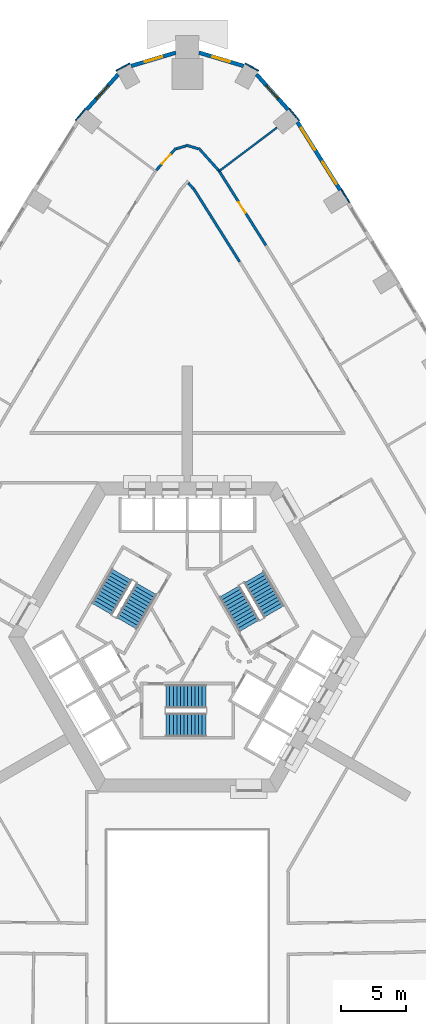
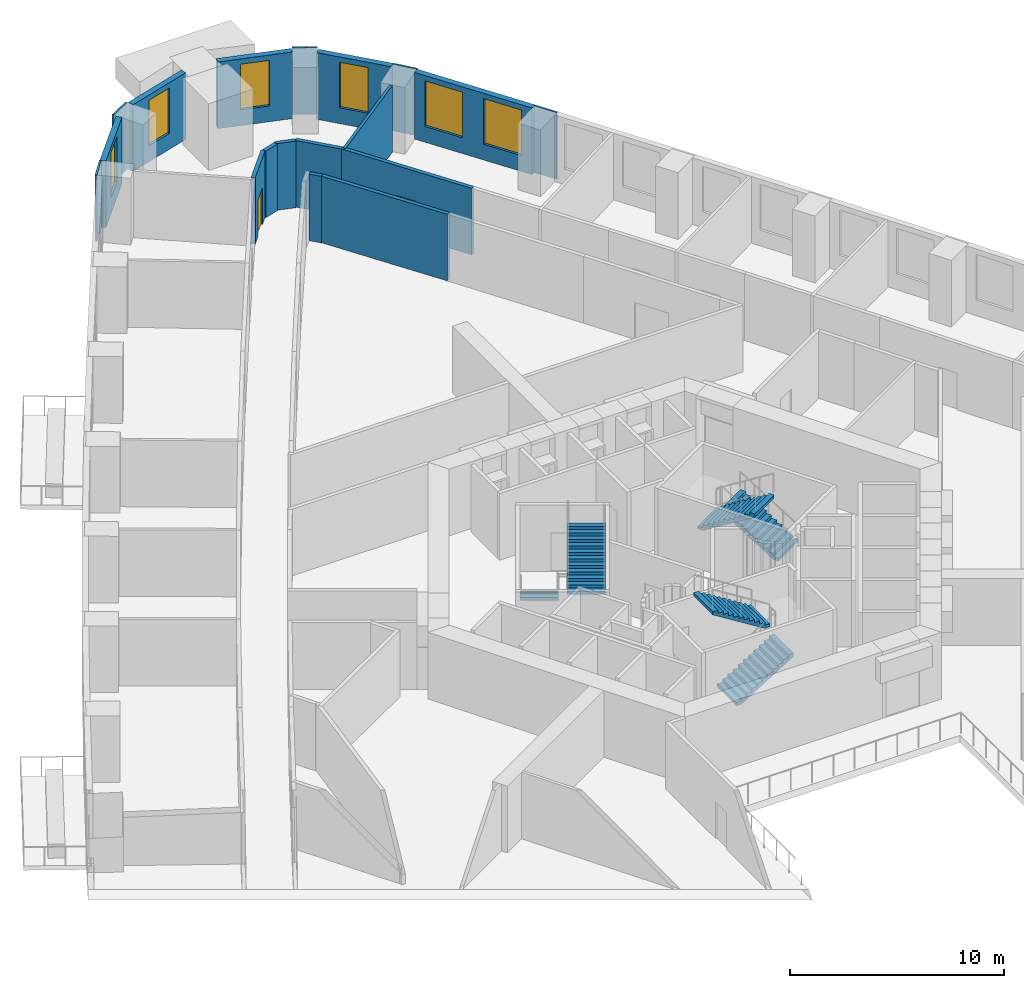
# One storey, part 12 of 16: 18 walls, 6 stair flights, 6 windows, 2 doors, 8 openings, 3 elements without a shape of their own.
"""IFC4 building model written with IfcOpenShell, lengths in metres."""

import ifcopenshell
import ifcopenshell.guid

model = None  # the IFC model being written
_history = None  # IfcOwnerHistory: only IFC2X3 demands one
_inside = {}  # id of a spatial element -> (the spatial element, [elements in it])
_under = {}  # id of a project, library or spatial element -> (it, [spatial elements below it])
_declared = {}  # id of a project -> (the project, [libraries it declares])
_typed = {}  # id of a type object -> (the type object, [elements of that type])
_made_of = {}  # id of a material, layer set ... -> (it, [elements and type objects made of it])


def new_model(schema):
    """Start an empty IFC model of exactly this schema.

    Asked for "IFC4X3", IfcOpenShell would pick the latest addendum, in which some entities
    have other attributes; the version numbers below select the first issue.
    IFC2X3 requires an IfcOwnerHistory on every rooted entity: one is made here for all.
    """
    global model, _history
    if schema == "IFC4X3":
        model = ifcopenshell.file(schema_version=(4, 3, 0, 0))
    else:
        model = ifcopenshell.file(schema=schema)
    _inside.clear()
    _under.clear()
    _declared.clear()
    _typed.clear()
    _made_of.clear()
    _history = None
    if model.schema == "IFC2X3":
        org = make("IfcOrganization", Name="unknown")
        user = make(
            "IfcPersonAndOrganization",
            ThePerson=make("IfcPerson", FamilyName="unknown"),
            TheOrganization=org,
        )
        app = make(
            "IfcApplication",
            ApplicationDeveloper=org,
            Version="unknown",
            ApplicationFullName="unknown",
            ApplicationIdentifier="unknown",
        )
        _history = make(
            "IfcOwnerHistory",
            OwningUser=user,
            OwningApplication=app,
            ChangeAction="ADDED",
            CreationDate=0,
        )
    return model


def make(cls, **values):
    """One entity of the class cls with the attributes given. An attribute that is None is left unset."""
    return model.create_entity(
        cls, **{name: value for name, value in values.items() if value is not None}
    )


def rooted(cls, **values):
    """An entity with a GlobalId (a new one), such as an element, a storey or a relation."""
    return make(cls, GlobalId=ifcopenshell.guid.new(), OwnerHistory=_history, **values)


def si_unit(unit_type, name, prefix=None):
    """IfcSIUnit, for example si_unit("LENGTHUNIT", "METRE", prefix="MILLI")."""
    return make("IfcSIUnit", UnitType=unit_type, Prefix=prefix, Name=name)


def assignment(units):
    """IfcUnitAssignment: the units of a project."""
    return None if units is None else make("IfcUnitAssignment", Units=units)


def point(xyz):
    """IfcCartesianPoint."""
    return None if xyz is None else make("IfcCartesianPoint", Coordinates=xyz)


def direction(xyz):
    """IfcDirection."""
    return None if xyz is None else make("IfcDirection", DirectionRatios=xyz)


def frame(location, z_axis=None, x_axis=None):
    """IfcAxis2Placement3D, a coordinate frame: its origin and axes. An axis left out is left unset."""
    return make(
        "IfcAxis2Placement3D",
        Location=point(location),
        Axis=direction(z_axis),
        RefDirection=direction(x_axis),
    )


def frame_2d(location, x_axis=None):
    """IfcAxis2Placement2D, a coordinate frame in the plane: its origin and x axis."""
    return make(
        "IfcAxis2Placement2D", Location=point(location), RefDirection=direction(x_axis)
    )


def origin():
    """The frame at (0, 0, 0) with its axes left unset."""
    return frame((0.0, 0.0, 0.0))


def place(relative_to, where):
    """IfcLocalPlacement: puts the frame where relative to a parent placement (None: the world)."""
    return make(
        "IfcLocalPlacement", PlacementRelTo=relative_to, RelativePlacement=where
    )


def context(
    kind, dimensions, precision=None, world=None, true_north=None, identifier=None
):
    """IfcGeometricRepresentationContext, for example the 3D "Model" context."""
    return make(
        "IfcGeometricRepresentationContext",
        ContextIdentifier=identifier,
        ContextType=kind,
        CoordinateSpaceDimension=dimensions,
        Precision=precision,
        WorldCoordinateSystem=world,
        TrueNorth=true_north,
    )


def subcontext(parent, identifier, kind, view, scale=None):
    """IfcGeometricRepresentationSubContext, for example "Body" below "Model"."""
    return make(
        "IfcGeometricRepresentationSubContext",
        ContextIdentifier=identifier,
        ContextType=kind,
        ParentContext=parent,
        TargetScale=scale,
        TargetView=view,
    )


def project(units=None, contexts=None):
    """IfcProject with its units and contexts."""
    return rooted(
        "IfcProject",
        Name="project",
        RepresentationContexts=contexts,
        UnitsInContext=assignment(units),
    )


def spatial(cls, under=None, at=None, **own):
    """A site, building, storey or space (cls), placed at a placement, below another one or the project."""
    s = rooted(cls, ObjectPlacement=at, **own)
    if under is not None:
        _under.setdefault(under.id(), (under, []))[1].append(s)
    return s


def polyline(points):
    """IfcPolyline through the points."""
    return make("IfcPolyline", Points=[point(p) for p in points])


def profile(cls, at=None, kind="AREA", **sizes):
    """A parametric profile (cls). Its sizes go by their IFC names, for example OverallWidth=200.0."""
    return make(cls, ProfileType=kind, Position=at, **sizes)


def rectangle(**sizes):
    """IfcRectangleProfileDef."""
    return profile("IfcRectangleProfileDef", **sizes)


def outline(outer, holes=None, kind="AREA"):
    """IfcArbitraryClosedProfileDef: a profile drawn as a closed curve; with holes, ...WithVoids."""
    if holes is None:
        return make("IfcArbitraryClosedProfileDef", ProfileType=kind, OuterCurve=outer)
    return make(
        "IfcArbitraryProfileDefWithVoids",
        ProfileType=kind,
        OuterCurve=outer,
        InnerCurves=holes,
    )


def extrude(swept, where, along, depth):
    """IfcExtrudedAreaSolid: the profile swept, set in the frame where, extruded along a direction by depth."""
    return make(
        "IfcExtrudedAreaSolid",
        SweptArea=swept,
        Position=where,
        ExtrudedDirection=direction(along),
        Depth=depth,
    )


def shape(context_of_items, identifier, shape_type, items):
    """IfcShapeRepresentation: the items that make up one representation, for example the "Body"."""
    return make(
        "IfcShapeRepresentation",
        ContextOfItems=context_of_items,
        RepresentationIdentifier=identifier,
        RepresentationType=shape_type,
        Items=items,
    )


def material(Name=None, Category=None):
    """IfcMaterial."""
    return make("IfcMaterial", Name=Name, Category=Category)


def layer(
    of_material, thickness, ventilated=None, Name=None, Category=None, Priority=None
):
    """IfcMaterialLayer: one layer of a wall or slab, of a material (None: an air gap)."""
    return make(
        "IfcMaterialLayer",
        Material=of_material,
        LayerThickness=thickness,
        IsVentilated=ventilated,
        Name=Name,
        Category=Category,
        Priority=Priority,
    )


def layer_set(layers, Name=None):
    """IfcMaterialLayerSet."""
    return make("IfcMaterialLayerSet", MaterialLayers=layers, LayerSetName=Name)


def made_of(thing, what):
    """Note that an element or type object is made of a material, layer set ...; save() writes the relation."""
    if what is not None:
        _made_of.setdefault(what.id(), (what, []))[1].append(thing)
    return thing


def type_object(cls, material=None, **own):
    """A type object (cls), such as IfcWallType, which elements share."""
    return made_of(rooted(cls, **own), material)


def element(
    cls,
    number,
    at=None,
    inside=None,
    cuts=None,
    type_object=None,
    material=None,
    context=None,
    identifier="Body",
    shape_type=None,
    held_by="IfcProductDefinitionShape",
    body=None,
    shapes=None,
    **own,
):
    """One element of the class cls, such as IfcWall. Its Tag is "e" and its number.

    at: its placement. inside: the storey or other place that contains it. cuts: it is an
    opening in that element (IfcRelVoidsElement). A single representation is given by context,
    identifier, shape_type and body (its items); several are given by shapes. held_by: the class
    of the entity that holds the representations. save() writes the other relations.
    """
    e = rooted(cls, Tag="e%d" % number, ObjectPlacement=at, **own)
    if body is not None:
        shapes = [shape(context, identifier, shape_type, body)]
    if shapes is not None:
        e.Representation = make(held_by, Representations=shapes)
    if inside is not None:
        _inside.setdefault(inside.id(), (inside, []))[1].append(e)
    if cuts is not None:
        rooted(
            "IfcRelVoidsElement", RelatingBuildingElement=cuts, RelatedOpeningElement=e
        )
    if type_object is not None:
        _typed.setdefault(type_object.id(), (type_object, []))[1].append(e)
    return made_of(e, material)


def fill(opening, filler):
    """IfcRelFillsElement: the door or window that sits in an opening."""
    return rooted(
        "IfcRelFillsElement",
        RelatingOpeningElement=opening,
        RelatedBuildingElement=filler,
    )


def aggregate(whole, parts):
    """IfcRelAggregates: a whole, such as a stair, and the parts it consists of."""
    return rooted("IfcRelAggregates", RelatingObject=whole, RelatedObjects=parts)


def save(model, path):
    """Write the relations noted so far, then the file.

    IfcRelAggregates (storeys below a building ...), IfcRelContainedInSpatialStructure (elements
    in a storey), IfcRelDefinesByType, IfcRelAssociatesMaterial and IfcRelDeclares: one each for
    every whole, place, type object, material and project.
    """
    for whole, parts in _under.values():
        aggregate(whole, parts)
    for where, things in _inside.values():
        rooted(
            "IfcRelContainedInSpatialStructure",
            RelatedElements=things,
            RelatingStructure=where,
        )
    for kind, things in _typed.values():
        rooted("IfcRelDefinesByType", RelatedObjects=things, RelatingType=kind)
    for what, things in _made_of.values():
        rooted("IfcRelAssociatesMaterial", RelatedObjects=things, RelatingMaterial=what)
    for by, libraries in _declared.values():
        rooted("IfcRelDeclares", RelatingContext=by, RelatedDefinitions=libraries)
    model.write(path)


model = new_model("IFC4")

# Units and contexts
model_context = context("Model", 3, precision=1e-05, world=origin(), true_north=direction((0.0, 1.0)))
body_context = subcontext(model_context, "Body", "Model", "MODEL_VIEW")
ifc_project = project(units=[si_unit("LENGTHUNIT", "METRE"), si_unit("AREAUNIT", "SQUARE_METRE"), si_unit("VOLUMEUNIT", "CUBIC_METRE"), si_unit("PLANEANGLEUNIT", "RADIAN"), si_unit("MASSUNIT", "GRAM", prefix="KILO")], contexts=[model_context])

# Site, building, storey
site_placement = place(None, origin())
site = spatial("IfcSite", under=ifc_project, at=site_placement, CompositionType="ELEMENT")
building_placement = place(site_placement, origin())
building = spatial("IfcBuilding", under=site, at=building_placement, Name="Entoto Arch Interchange Tower", CompositionType="ELEMENT")
storey_placement = place(building_placement, frame((0.0, 0.0, 68.60009765625)))
storey = spatial("IfcBuildingStorey", under=building, at=storey_placement, Name="L14", CompositionType="ELEMENT", Elevation=68.60009765625)

# Walls
ifc_material_1 = material(Name="Gypsum board partition on steel studs", Category="steel")
ifc_layer_1 = layer(ifc_material_1, 0.14990234375)
ifc_layer_set_1 = layer_set([ifc_layer_1], Name="Gypsum board partition on steel studs")
wall_type_1 = type_object("IfcWallType", Name="PARTITION 150", PredefinedType="PARTITIONING", material=ifc_layer_set_1)
wall_1_placement = place(storey_placement, frame((2.466064453125, 38.580078125, 0.0), z_axis=(0.0, 0.0, 1.0), x_axis=(0.798796148738, 0.601601789193, 0.0)))
element("IfcWall", 1, at=wall_1_placement, inside=storey, type_object=wall_type_1, Name="wall:L14:p141", PredefinedType="PARTITIONING", context=body_context, shape_type="SweptSolid", body=[
    extrude(rectangle(XDim=5.604736328125, YDim=0.14990234375, at=frame_2d((2.80224609375, 0.0))), origin(), (0.0, 0.0, 1.0), 3.7998046875),
])
ifc_layer_2 = layer(ifc_material_1, 0.199951171875)
ifc_layer_set_2 = layer_set([ifc_layer_2], Name="Gypsum board partition on steel studs")
wall_type_2 = type_object("IfcWallType", Name="PARTITION 200", PredefinedType="PARTITIONING", material=ifc_layer_set_2)
wall_2_placement = place(storey_placement, frame((4.04296875, 31.56396484375, 0.0), z_axis=(0.0, 0.0, 1.0), x_axis=(-0.532301094997, 0.846555104092, 0.0)))
element("IfcWall", 2, at=wall_2_placement, inside=storey, type_object=wall_type_2, Name="wall:L14:p011", PredefinedType="PARTITIONING", context=body_context, shape_type="SweptSolid", body=[
    extrude(rectangle(XDim=6.676513671875, YDim=0.199951171875, at=frame_2d((3.33837890625, 0.0))), origin(), (0.0, 0.0, 1.0), 3.7998046875),
])
wall_3_placement = place(storey_placement, frame((0.47607421875, 37.2060546875, 0.0), z_axis=(0.0, 0.0, 1.0), x_axis=(-0.667027496744, 0.745033098988, 0.0)))
element("IfcWall", 3, at=wall_3_placement, inside=storey, type_object=wall_type_2, Name="wall:L14:p012", PredefinedType="PARTITIONING", context=body_context, shape_type="SweptSolid", body=[
    extrude(rectangle(XDim=0.613525390625, YDim=0.199951171875, at=frame_2d((0.306640625, 0.0))), origin(), (0.0, 0.0, 1.0), 3.7998046875),
])

# Wall, opening, door
wall_4_placement = place(storey_placement, frame((2.4130859375, 38.6650390625, 0.0), z_axis=(0.0, 0.0, 1.0), x_axis=(0.532328273879, -0.846538013812, 0.0)))
wall_4 = element("IfcWall", 4, at=wall_4_placement, inside=storey, type_object=wall_type_2, Name="wall:L14:p060", PredefinedType="PARTITIONING", context=body_context, shape_type="SweptSolid", body=[
    extrude(rectangle(XDim=6.890380859375, YDim=0.199951171875, at=frame_2d((3.4453125, 0.0))), origin(), (0.0, 0.0, 1.0), 3.7998046875),
])
opening_1_placement = place(wall_4_placement, frame((2.945068359375, 0.0, 0.0)))
opening_1 = element("IfcOpeningElement", 5, at=opening_1_placement, cuts=wall_4, Name="Opening L14-D08", PredefinedType="OPENING", context=body_context, shape_type="SweptSolid", body=[
    extrude(rectangle(XDim=1.0, YDim=2.10009765625, at=frame_2d((0.5, 1.050048828125))), frame((0.0, 0.10986328125, 0.0), z_axis=(0.0, -1.0, 0.0), x_axis=(1.0, 0.0, 0.0)), (0.0, 0.0, 1.0), 0.219970703125),
])
ifc_material_2 = material(Name="Timber door leaf in Steel S235 frame", Category="steel")
door_type = type_object("IfcDoorType", Name="DOOR DS-10 1000x2100", OperationType="SINGLE_SWING_LEFT", PredefinedType="DOOR", material=ifc_material_2)
door_1_placement = place(opening_1_placement, origin())
door_1 = element("IfcDoor", 6, at=door_1_placement, inside=storey, type_object=door_type, Name="door:L14:08", OperationType="SINGLE_SWING_LEFT", OverallHeight=2.10009765625, OverallWidth=1.0, PredefinedType="DOOR", context=body_context, shape_type="SweptSolid", body=[
    extrude(rectangle(XDim=1.0, YDim=2.10009765625, at=frame_2d((0.5, 1.050048828125))), frame((0.0, 0.02490234375, 0.0), z_axis=(0.0, -1.0, 0.0), x_axis=(1.0, 0.0, 0.0)), (0.0, 0.0, 1.0), 0.050048828125),
])
fill(opening_1, door_1)

wall_5_placement = place(storey_placement, frame((-2.39990234375, 38.655029296875, 0.0), z_axis=(0.0, 0.0, 1.0), x_axis=(0.666791730919, 0.745244112743, 0.0)))
wall_5 = element("IfcWall", 7, at=wall_5_placement, inside=storey, type_object=wall_type_2, Name="wall:L14:p062", PredefinedType="PARTITIONING", context=body_context, shape_type="SweptSolid", body=[
    extrude(rectangle(XDim=2.281005859375, YDim=0.199951171875, at=frame_2d((1.140625, 0.0))), origin(), (0.0, 0.0, 1.0), 3.7998046875),
])
opening_2_placement = place(wall_5_placement, frame((0.64111328125, 0.0, 0.0)))
opening_2 = element("IfcOpeningElement", 8, at=opening_2_placement, cuts=wall_5, Name="Opening L14-D09", PredefinedType="OPENING", context=body_context, shape_type="SweptSolid", body=[
    extrude(rectangle(XDim=1.0, YDim=2.10009765625, at=frame_2d((0.5, 1.050048828125))), frame((0.0, 0.10986328125, 0.0), z_axis=(0.0, -1.0, 0.0), x_axis=(1.0, 0.0, 0.0)), (0.0, 0.0, 1.0), 0.219970703125),
])
door_2_placement = place(opening_2_placement, origin())
door_2 = element("IfcDoor", 9, at=door_2_placement, inside=storey, type_object=door_type, Name="door:L14:09", OperationType="SINGLE_SWING_LEFT", OverallHeight=2.10009765625, OverallWidth=1.0, PredefinedType="DOOR", context=body_context, shape_type="SweptSolid", body=[
    extrude(rectangle(XDim=1.0, YDim=2.10009765625, at=frame_2d((0.5, 1.050048828125))), frame((0.0, 0.02490234375, 0.0), z_axis=(0.0, -1.0, 0.0), x_axis=(1.0, 0.0, 0.0)), (0.0, 0.0, 1.0), 0.050048828125),
])
fill(opening_2, door_2)

# Walls
wall_6_placement = place(storey_placement, frame((-0.84912109375, 40.30908203125, 0.0), z_axis=(0.0, 0.0, 1.0), x_axis=(0.958210118601, 0.286065322279, 0.0)))
element("IfcWall", 10, at=wall_6_placement, inside=storey, type_object=wall_type_2, Name="wall:L14:p063", PredefinedType="PARTITIONING", context=body_context, shape_type="SweptSolid", body=[
    extrude(rectangle(XDim=0.7861328125, YDim=0.199951171875, at=frame_2d((0.39306640625, 0.0))), origin(), (0.0, 0.0, 1.0), 3.7998046875),
])
wall_7_placement = place(storey_placement, frame((-0.095947265625, 40.591064453125, 0.0), z_axis=(0.0, 0.0, 1.0), x_axis=(0.958254449469, -0.285916788721, 0.0)))
element("IfcWall", 11, at=wall_7_placement, inside=storey, type_object=wall_type_2, Name="wall:L14:p064", PredefinedType="PARTITIONING", context=body_context, shape_type="SweptSolid", body=[
    extrude(rectangle(XDim=0.986328125, YDim=0.199951171875, at=frame_2d((0.4931640625, 0.0))), origin(), (0.0, 0.0, 1.0), 3.7998046875),
])
wall_8_placement = place(storey_placement, frame((0.87890625, 40.35498046875, 0.0), z_axis=(0.0, 0.0, 1.0), x_axis=(0.666791730919, -0.745244112743, 0.0)))
element("IfcWall", 12, at=wall_8_placement, inside=storey, type_object=wall_type_2, Name="wall:L14:p065", PredefinedType="PARTITIONING", context=body_context, shape_type="SweptSolid", body=[
    extrude(rectangle(XDim=2.281005859375, YDim=0.199951171875, at=frame_2d((1.140625, 0.0))), origin(), (0.0, 0.0, 1.0), 3.7998046875),
])

# Wall, openings, windows
ifc_material_3 = material(Name="Welded tuff (ignimbrite) cladding, warm buff", Category="masonry")
ifc_layer_3 = layer(ifc_material_3, 0.300048828125)
ifc_layer_set_3 = layer_set([ifc_layer_3], Name="Welded tuff (ignimbrite) cladding, warm buff")
wall_type_3 = type_object("IfcWallType", Name="STONE INFILL WALL 300", PredefinedType="STANDARD", material=ifc_layer_set_3)
wall_9_placement = place(storey_placement, frame((11.8330078125, 37.115966796875, 0.0), z_axis=(0.0, 0.0, 1.0), x_axis=(-0.532322705893, 0.846541515102, 0.0)))
wall_9 = element("IfcWall", 13, at=wall_9_placement, inside=storey, type_object=wall_type_3, Name="Facade wall NE-09 L14", PredefinedType="STANDARD", context=body_context, shape_type="SweptSolid", body=[
    extrude(rectangle(XDim=6.21826171875, YDim=0.300048828125, at=frame_2d((3.109130859375, 0.0))), origin(), (0.0, 0.0, 1.0), 3.7998046875),
])
opening_3_placement = place(wall_9_placement, frame((0.554931640625, 0.0, 0.89990234375)))
opening_3 = element("IfcOpeningElement", 14, at=opening_3_placement, cuts=wall_9, Name="Opening WO-C", PredefinedType="OPENING", context=body_context, shape_type="SweptSolid", body=[
    extrude(rectangle(XDim=2.0, YDim=2.60009765625, at=frame_2d((1.0, 1.300048828125))), frame((0.0, 0.16015625, 0.0), z_axis=(0.0, -1.0, 0.0), x_axis=(1.0, 0.0, 0.0)), (0.0, 0.0, 1.0), 0.320068359375),
])
opening_4_placement = place(wall_9_placement, frame((3.6640625, 0.0, 0.89990234375)))
opening_4 = element("IfcOpeningElement", 15, at=opening_4_placement, cuts=wall_9, Name="Opening WO-C", PredefinedType="OPENING", context=body_context, shape_type="SweptSolid", body=[
    extrude(rectangle(XDim=2.0, YDim=2.60009765625, at=frame_2d((1.0, 1.300048828125))), frame((0.0, 0.16015625, 0.0), z_axis=(0.0, -1.0, 0.0), x_axis=(1.0, 0.0, 0.0)), (0.0, 0.0, 1.0), 0.320068359375),
])
ifc_material_4 = material(Name="Clear glass, low-e double glazed", Category="glass")
window_type_1 = type_object("IfcWindowType", Name="WINDOW WO-C 2000x2600", PartitioningType="DOUBLE_PANEL_VERTICAL", PredefinedType="WINDOW", material=ifc_material_4)
window_1_placement = place(opening_3_placement, origin())
window_1 = element("IfcWindow", 16, at=window_1_placement, inside=storey, type_object=window_type_1, Name="Window WO-C NE-09 L14", OverallHeight=2.60009765625, OverallWidth=2.0, PartitioningType="SINGLE_PANEL", PredefinedType="WINDOW", context=body_context, shape_type="SweptSolid", body=[
    extrude(rectangle(XDim=2.0, YDim=2.60009765625, at=frame_2d((1.0, 1.300048828125))), frame((0.0, 0.030029296875, 0.0), z_axis=(0.0, -1.0, 0.0), x_axis=(1.0, 0.0, 0.0)), (0.0, 0.0, 1.0), 0.06005859375),
])
fill(opening_3, window_1)
window_2_placement = place(opening_4_placement, origin())
window_2 = element("IfcWindow", 17, at=window_2_placement, inside=storey, type_object=window_type_1, Name="Window WO-C NE-09 L14", OverallHeight=2.60009765625, OverallWidth=2.0, PartitioningType="SINGLE_PANEL", PredefinedType="WINDOW", context=body_context, shape_type="SweptSolid", body=[
    extrude(rectangle(XDim=2.0, YDim=2.60009765625, at=frame_2d((1.0, 1.300048828125))), frame((0.0, 0.030029296875, 0.0), z_axis=(0.0, -1.0, 0.0), x_axis=(1.0, 0.0, 0.0)), (0.0, 0.0, 1.0), 0.06005859375),
])
fill(opening_4, window_2)

# Wall, opening, window
wall_10_placement = place(storey_placement, frame((7.802978515625, 43.339111328125, 0.0), z_axis=(0.0, 0.0, 1.0), x_axis=(-0.666901909312, 0.745145518242, 0.0)))
wall_10 = element("IfcWall", 18, at=wall_10_placement, inside=storey, type_object=wall_type_3, Name="Facade wall N-01 L14", PredefinedType="STANDARD", context=body_context, shape_type="SweptSolid", body=[
    extrude(rectangle(XDim=3.666259765625, YDim=0.300048828125, at=frame_2d((1.8330078125, 0.0))), origin(), (0.0, 0.0, 1.0), 3.7998046875),
])
opening_5_placement = place(wall_10_placement, frame((1.133056640625, 0.0, 0.89990234375)))
opening_5 = element("IfcOpeningElement", 19, at=opening_5_placement, cuts=wall_10, Name="Opening WO-B", PredefinedType="OPENING", context=body_context, shape_type="SweptSolid", body=[
    extrude(rectangle(XDim=1.39990234375, YDim=2.60009765625, at=frame_2d((0.699951171875, 1.300048828125))), frame((0.0, 0.16015625, 0.0), z_axis=(0.0, -1.0, 0.0), x_axis=(1.0, 0.0, 0.0)), (0.0, 0.0, 1.0), 0.320068359375),
])
window_type_2 = type_object("IfcWindowType", Name="WINDOW WO-B 1400x2600", PartitioningType="DOUBLE_PANEL_VERTICAL", PredefinedType="WINDOW", material=ifc_material_4)
window_3_placement = place(opening_5_placement, origin())
window_3 = element("IfcWindow", 20, at=window_3_placement, inside=storey, type_object=window_type_2, Name="Window WO-B N-01 L14", OverallHeight=2.60009765625, OverallWidth=1.39990234375, PartitioningType="SINGLE_PANEL", PredefinedType="WINDOW", context=body_context, shape_type="SweptSolid", body=[
    extrude(rectangle(XDim=1.39990234375, YDim=2.60009765625, at=frame_2d((0.699951171875, 1.300048828125))), frame((0.0, 0.030029296875, 0.0), z_axis=(0.0, -1.0, 0.0), x_axis=(1.0, 0.0, 0.0)), (0.0, 0.0, 1.0), 0.06005859375),
])
fill(opening_5, window_3)

wall_11_placement = place(storey_placement, frame((4.35009765625, 46.72509765625, 0.0), z_axis=(0.0, 0.0, 1.0), x_axis=(-0.958083325779, 0.286489687186, 0.0)))
wall_11 = element("IfcWall", 21, at=wall_11_placement, inside=storey, type_object=wall_type_3, Name="Facade wall N-02 L14", PredefinedType="STANDARD", context=body_context, shape_type="SweptSolid", body=[
    extrude(rectangle(XDim=3.60205078125, YDim=0.300048828125, at=frame_2d((1.801025390625, 0.0))), origin(), (0.0, 0.0, 1.0), 3.7998046875),
])
opening_6_placement = place(wall_11_placement, frame((1.10107421875, 0.0, 0.89990234375)))
opening_6 = element("IfcOpeningElement", 22, at=opening_6_placement, cuts=wall_11, Name="Opening WO-B", PredefinedType="OPENING", context=body_context, shape_type="SweptSolid", body=[
    extrude(rectangle(XDim=1.39990234375, YDim=2.60009765625, at=frame_2d((0.699951171875, 1.300048828125))), frame((0.0, 0.16015625, 0.0), z_axis=(0.0, -1.0, 0.0), x_axis=(1.0, 0.0, 0.0)), (0.0, 0.0, 1.0), 0.320068359375),
])
window_4_placement = place(opening_6_placement, origin())
window_4 = element("IfcWindow", 23, at=window_4_placement, inside=storey, type_object=window_type_2, Name="Window WO-B N-02 L14", OverallHeight=2.60009765625, OverallWidth=1.39990234375, PartitioningType="SINGLE_PANEL", PredefinedType="WINDOW", context=body_context, shape_type="SweptSolid", body=[
    extrude(rectangle(XDim=1.39990234375, YDim=2.60009765625, at=frame_2d((0.699951171875, 1.300048828125))), frame((0.0, 0.030029296875, 0.0), z_axis=(0.0, -1.0, 0.0), x_axis=(1.0, 0.0, 0.0)), (0.0, 0.0, 1.0), 0.06005859375),
])
fill(opening_6, window_4)

wall_12_placement = place(storey_placement, frame((-0.89892578125, 47.757080078125, 0.0), z_axis=(0.0, 0.0, 1.0), x_axis=(-0.958083325779, -0.286489687186, 0.0)))
wall_12 = element("IfcWall", 24, at=wall_12_placement, inside=storey, type_object=wall_type_3, Name="Facade wall N-03 L14", PredefinedType="STANDARD", context=body_context, shape_type="SweptSolid", body=[
    extrude(rectangle(XDim=3.60205078125, YDim=0.300048828125, at=frame_2d((1.801025390625, 0.0))), origin(), (0.0, 0.0, 1.0), 3.7998046875),
])
opening_7_placement = place(wall_12_placement, frame((1.10107421875, 0.0, 0.89990234375)))
opening_7 = element("IfcOpeningElement", 25, at=opening_7_placement, cuts=wall_12, Name="Opening WO-B", PredefinedType="OPENING", context=body_context, shape_type="SweptSolid", body=[
    extrude(rectangle(XDim=1.39990234375, YDim=2.60009765625, at=frame_2d((0.699951171875, 1.300048828125))), frame((0.0, 0.16015625, 0.0), z_axis=(0.0, -1.0, 0.0), x_axis=(1.0, 0.0, 0.0)), (0.0, 0.0, 1.0), 0.320068359375),
])
window_5_placement = place(opening_7_placement, origin())
window_5 = element("IfcWindow", 26, at=window_5_placement, inside=storey, type_object=window_type_2, Name="Window WO-B N-03 L14", OverallHeight=2.60009765625, OverallWidth=1.39990234375, PartitioningType="SINGLE_PANEL", PredefinedType="WINDOW", context=body_context, shape_type="SweptSolid", body=[
    extrude(rectangle(XDim=1.39990234375, YDim=2.60009765625, at=frame_2d((0.699951171875, 1.300048828125))), frame((0.0, 0.030029296875, 0.0), z_axis=(0.0, -1.0, 0.0), x_axis=(1.0, 0.0, 0.0)), (0.0, 0.0, 1.0), 0.06005859375),
])
fill(opening_7, window_5)

wall_13_placement = place(storey_placement, frame((-5.35791015625, 46.071044921875, 0.0), z_axis=(0.0, 0.0, 1.0), x_axis=(-0.666901909312, -0.745145518242, 0.0)))
wall_13 = element("IfcWall", 27, at=wall_13_placement, inside=storey, type_object=wall_type_3, Name="Facade wall N-04 L14", PredefinedType="STANDARD", context=body_context, shape_type="SweptSolid", body=[
    extrude(rectangle(XDim=3.666259765625, YDim=0.300048828125, at=frame_2d((1.8330078125, 0.0))), origin(), (0.0, 0.0, 1.0), 3.7998046875),
])
opening_8_placement = place(wall_13_placement, frame((1.133056640625, 0.0, 0.89990234375)))
opening_8 = element("IfcOpeningElement", 28, at=opening_8_placement, cuts=wall_13, Name="Opening WO-B", PredefinedType="OPENING", context=body_context, shape_type="SweptSolid", body=[
    extrude(rectangle(XDim=1.39990234375, YDim=2.60009765625, at=frame_2d((0.699951171875, 1.300048828125))), frame((0.0, 0.16015625, 0.0), z_axis=(0.0, -1.0, 0.0), x_axis=(1.0, 0.0, 0.0)), (0.0, 0.0, 1.0), 0.320068359375),
])
window_6_placement = place(opening_8_placement, origin())
window_6 = element("IfcWindow", 29, at=window_6_placement, inside=storey, type_object=window_type_2, Name="Window WO-B N-04 L14", OverallHeight=2.60009765625, OverallWidth=1.39990234375, PartitioningType="SINGLE_PANEL", PredefinedType="WINDOW", context=body_context, shape_type="SweptSolid", body=[
    extrude(rectangle(XDim=1.39990234375, YDim=2.60009765625, at=frame_2d((0.699951171875, 1.300048828125))), frame((0.0, 0.030029296875, 0.0), z_axis=(0.0, -1.0, 0.0), x_axis=(1.0, 0.0, 0.0)), (0.0, 0.0, 1.0), 0.06005859375),
])
fill(opening_8, window_6)

# Walls
ifc_layer_4 = layer(ifc_material_3, 0.10009765625)
ifc_layer_set_4 = layer_set([ifc_layer_4], Name="Welded tuff (ignimbrite) cladding, warm buff")
wall_type_4 = type_object("IfcWallType", Name="STONE PIER CLADDING 100", PredefinedType="STANDARD", material=ifc_layer_set_4)
for number, where, z_axis, x_axis, name in (
    (30, (5.512939453125, 46.35205078125, 0.0), (0.0, 0.0, 1.0), (-0.877155474831, 0.480206489934, 0.0), "Stone pier N1 L14"),
    (31, (-4.4609375, 46.927978515625, 0.0), (0.0, 0.0, 1.0), (-0.877155474831, -0.480206489934, 0.0), "Stone pier N3 L14"),
):
    element("IfcWall", number, at=place(storey_placement, frame(where, z_axis=z_axis, x_axis=x_axis)), inside=storey, type_object=wall_type_4, Name=name, PredefinedType="STANDARD", context=body_context, shape_type="SweptSolid", body=[
        extrude(rectangle(XDim=1.19921875, YDim=0.10009765625, at=frame_2d((0.599609375, 0.0))), origin(), (0.0, 0.0, 1.0), 3.7998046875),
    ])
wall_14_placement = place(storey_placement, frame((12.554931640625, 36.153076171875, 0.0), z_axis=(0.0, 0.0, 1.0), x_axis=(-0.530273374944, 0.847826720401, 0.0)))
element("IfcWall", 32, at=wall_14_placement, inside=storey, type_object=wall_type_4, Name="Stone pier NE09 L14", PredefinedType="STANDARD", context=body_context, shape_type="SweptSolid", body=[
    extrude(rectangle(XDim=1.199462890625, YDim=0.10009765625, at=frame_2d((0.599609375, 0.0))), origin(), (0.0, 0.0, 1.0), 3.7998046875),
])
for number, where, z_axis, x_axis, name in (
    (33, (8.662109375, 42.493896484375, 0.0), (0.0, 0.0, 1.0), (-0.637759271497, 0.770235750676, 0.0), "Stone pier NE10 L14"),
    (34, (-7.89697265625, 43.41796875, 0.0), (0.0, 0.0, 1.0), (-0.637759271497, -0.770235750676, 0.0), "Stone pier NW01 L14"),
):
    element("IfcWall", number, at=place(storey_placement, frame(where, z_axis=z_axis, x_axis=x_axis)), inside=storey, type_object=wall_type_4, Name=name, PredefinedType="STANDARD", context=body_context, shape_type="SweptSolid", body=[
        extrude(rectangle(XDim=1.19970703125, YDim=0.10009765625, at=frame_2d((0.599853515625, 0.0))), origin(), (0.0, 0.0, 1.0), 3.7998046875),
    ])

# Stair, stair flights
ifc_material_5 = material(Name="Concrete C40/50", Category="concrete")
stair_type = type_object("IfcStairType", Name="EXIT STAIR RC 1800", PredefinedType="HALF_TURN_STAIR", material=ifc_material_5)
stair_1_placement = place(storey_placement, origin())
stair_1 = element("IfcStair", 35, at=stair_1_placement, inside=storey, type_object=stair_type, Name="L14 Exit stair S", PredefinedType="HALF_TURN_STAIR")
stair_flight_type = type_object("IfcStairFlightType", Name="EXIT STAIR FLIGHT RC 1800", PredefinedType="STRAIGHT", material=ifc_material_5)
stair_flight_1_placement = place(storey_placement, frame((-1.64990234375, -4.300048828125, 0.0), z_axis=(0.0, 0.0, 1.0), x_axis=(1.0, 0.0, 0.0)))
stair_flight_1 = element("IfcStairFlight", 36, at=stair_flight_1_placement, type_object=stair_flight_type, Name="ST-S flight 1", NumberOfRisers=12, NumberOfTreads=11, PredefinedType="STRAIGHT", RiserHeight=0.175, TreadLength=0.28, context=body_context, shape_type="SweptSolid", body=[
    extrude(outline(polyline([(-0.0029296875, 0.0), (-0.0029296875, 0.175048828125), (0.280029296875, 0.175048828125), (0.280029296875, 0.35009765625), (0.56005859375, 0.35009765625), (0.56005859375, 0.52490234375), (0.840087890625, 0.52490234375), (0.840087890625, 0.699951171875), (1.1201171875, 0.699951171875), (1.1201171875, 0.875), (1.39990234375, 0.875), (1.39990234375, 1.050048828125), (1.679931640625, 1.050048828125), (1.679931640625, 1.22509765625), (1.9599609375, 1.22509765625), (1.9599609375, 1.39990234375), (2.239990234375, 1.39990234375), (2.239990234375, 1.574951171875), (2.52001953125, 1.574951171875), (2.52001953125, 1.75), (2.800048828125, 1.75), (2.800048828125, 1.925048828125), (3.080078125, 1.925048828125), (3.0830078125, 1.925048828125), (3.0830078125, 1.75), (0.28271484375, 0.0), (-0.0029296875, 0.0)])), frame((0.0, 0.89990234375, 0.0), z_axis=(0.0, -1.0, 0.0), x_axis=(1.0, 0.0, 0.0)), (0.0, 0.0, 1.0), 1.800048828125),
])
stair_flight_2_placement = place(storey_placement, frame((1.429931640625, -2.10009765625, 2.099853515625), z_axis=(0.0, 0.0, 1.0), x_axis=(-1.0, 0.0, 0.0)))
stair_flight_2 = element("IfcStairFlight", 37, at=stair_flight_2_placement, type_object=stair_flight_type, Name="ST-S flight 2", NumberOfRisers=12, NumberOfTreads=11, PredefinedType="STRAIGHT", RiserHeight=0.175, TreadLength=0.28, context=body_context, shape_type="SweptSolid", body=[
    extrude(outline(polyline([(-0.0029296875, 0.0), (-0.0029296875, 0.175048828125), (0.280029296875, 0.175048828125), (0.280029296875, 0.35009765625), (0.56005859375, 0.35009765625), (0.56005859375, 0.52490234375), (0.840087890625, 0.52490234375), (0.840087890625, 0.699951171875), (1.1201171875, 0.699951171875), (1.1201171875, 0.875), (1.39990234375, 0.875), (1.39990234375, 1.050048828125), (1.679931640625, 1.050048828125), (1.679931640625, 1.22509765625), (1.9599609375, 1.22509765625), (1.9599609375, 1.39990234375), (2.239990234375, 1.39990234375), (2.239990234375, 1.574951171875), (2.52001953125, 1.574951171875), (2.52001953125, 1.75), (2.800048828125, 1.75), (2.800048828125, 1.925048828125), (3.080078125, 1.925048828125), (3.0830078125, 1.925048828125), (3.0830078125, 1.75), (0.28271484375, 0.0), (-0.0029296875, 0.0)])), frame((0.0, 0.89990234375, 0.0), z_axis=(0.0, -1.0, 0.0), x_axis=(1.0, 0.0, 0.0)), (0.0, 0.0, 1.0), 1.800048828125),
])
aggregate(stair_1, [stair_flight_1, stair_flight_2])

stair_2_placement = place(storey_placement, origin())
stair_2 = element("IfcStair", 38, at=stair_2_placement, inside=storey, type_object=stair_type, Name="L14 Exit stair NE", PredefinedType="HALF_TURN_STAIR")
stair_flight_3_placement = place(storey_placement, frame((6.7138671875, 4.470947265625, 0.0), z_axis=(0.0, 0.0, 1.0), x_axis=(-0.5, 0.866025403784, 0.0)))
stair_flight_3 = element("IfcStairFlight", 39, at=stair_flight_3_placement, type_object=stair_flight_type, Name="ST-NE flight 1", NumberOfRisers=12, NumberOfTreads=11, PredefinedType="STRAIGHT", RiserHeight=0.175, TreadLength=0.28, context=body_context, shape_type="SweptSolid", body=[
    extrude(outline(polyline([(-0.0029296875, 0.0), (-0.0029296875, 0.175048828125), (0.280029296875, 0.175048828125), (0.280029296875, 0.35009765625), (0.56005859375, 0.35009765625), (0.56005859375, 0.52490234375), (0.840087890625, 0.52490234375), (0.840087890625, 0.699951171875), (1.1201171875, 0.699951171875), (1.1201171875, 0.875), (1.39990234375, 0.875), (1.39990234375, 1.050048828125), (1.679931640625, 1.050048828125), (1.679931640625, 1.22509765625), (1.9599609375, 1.22509765625), (1.9599609375, 1.39990234375), (2.239990234375, 1.39990234375), (2.239990234375, 1.574951171875), (2.52001953125, 1.574951171875), (2.52001953125, 1.75), (2.800048828125, 1.75), (2.800048828125, 1.925048828125), (3.080078125, 1.925048828125), (3.0830078125, 1.925048828125), (3.0830078125, 1.75), (0.28271484375, 0.0), (-0.0029296875, 0.0)])), frame((0.0, 0.89990234375, 0.0), z_axis=(0.0, -1.0, 0.0), x_axis=(1.0, 0.0, 0.0)), (0.0, 0.0, 1.0), 1.800048828125),
])
stair_flight_4_placement = place(storey_placement, frame((3.268798828125, 6.038330078125, 2.099853515625), z_axis=(0.0, 0.0, 1.0), x_axis=(0.5, -0.866025403784, 0.0)))
stair_flight_4 = element("IfcStairFlight", 40, at=stair_flight_4_placement, type_object=stair_flight_type, Name="ST-NE flight 2", NumberOfRisers=12, NumberOfTreads=11, PredefinedType="STRAIGHT", RiserHeight=0.175, TreadLength=0.28, context=body_context, shape_type="SweptSolid", body=[
    extrude(outline(polyline([(-0.0029296875, 0.0), (-0.0029296875, 0.175048828125), (0.280029296875, 0.175048828125), (0.280029296875, 0.35009765625), (0.56005859375, 0.35009765625), (0.56005859375, 0.52490234375), (0.840087890625, 0.52490234375), (0.840087890625, 0.699951171875), (1.1201171875, 0.699951171875), (1.1201171875, 0.875), (1.39990234375, 0.875), (1.39990234375, 1.050048828125), (1.679931640625, 1.050048828125), (1.679931640625, 1.22509765625), (1.9599609375, 1.22509765625), (1.9599609375, 1.39990234375), (2.239990234375, 1.39990234375), (2.239990234375, 1.574951171875), (2.52001953125, 1.574951171875), (2.52001953125, 1.75), (2.800048828125, 1.75), (2.800048828125, 1.925048828125), (3.080078125, 1.925048828125), (3.0830078125, 1.925048828125), (3.0830078125, 1.75), (0.28271484375, 0.0), (-0.0029296875, 0.0)])), frame((0.0, 0.89990234375, 0.0), z_axis=(0.0, -1.0, 0.0), x_axis=(1.0, 0.0, 0.0)), (0.0, 0.0, 1.0), 1.800048828125),
])
aggregate(stair_2, [stair_flight_3, stair_flight_4])

stair_3_placement = place(storey_placement, origin())
stair_3 = element("IfcStair", 41, at=stair_3_placement, inside=storey, type_object=stair_type, Name="L14 Exit stair NW", PredefinedType="HALF_TURN_STAIR")
stair_flight_5_placement = place(storey_placement, frame((-5.06396484375, 7.328857421875, 0.0), z_axis=(0.0, 0.0, 1.0), x_axis=(-0.5, -0.866025403784, 0.0)))
stair_flight_5 = element("IfcStairFlight", 42, at=stair_flight_5_placement, type_object=stair_flight_type, Name="ST-NW flight 1", NumberOfRisers=12, NumberOfTreads=11, PredefinedType="STRAIGHT", RiserHeight=0.175, TreadLength=0.28, context=body_context, shape_type="SweptSolid", body=[
    extrude(outline(polyline([(-0.0029296875, 0.0), (-0.0029296875, 0.175048828125), (0.280029296875, 0.175048828125), (0.280029296875, 0.35009765625), (0.56005859375, 0.35009765625), (0.56005859375, 0.52490234375), (0.840087890625, 0.52490234375), (0.840087890625, 0.699951171875), (1.1201171875, 0.699951171875), (1.1201171875, 0.875), (1.39990234375, 0.875), (1.39990234375, 1.050048828125), (1.679931640625, 1.050048828125), (1.679931640625, 1.22509765625), (1.9599609375, 1.22509765625), (1.9599609375, 1.39990234375), (2.239990234375, 1.39990234375), (2.239990234375, 1.574951171875), (2.52001953125, 1.574951171875), (2.52001953125, 1.75), (2.800048828125, 1.75), (2.800048828125, 1.925048828125), (3.080078125, 1.925048828125), (3.0830078125, 1.925048828125), (3.0830078125, 1.75), (0.28271484375, 0.0), (-0.0029296875, 0.0)])), frame((0.0, 0.89990234375, 0.0), z_axis=(0.0, -1.0, 0.0), x_axis=(1.0, 0.0, 0.0)), (0.0, 0.0, 1.0), 1.800048828125),
])
stair_flight_6_placement = place(storey_placement, frame((-4.69873046875, 3.5615234375, 2.099853515625), z_axis=(0.0, 0.0, 1.0), x_axis=(0.5, 0.866025403784, 0.0)))
stair_flight_6 = element("IfcStairFlight", 43, at=stair_flight_6_placement, type_object=stair_flight_type, Name="ST-NW flight 2", NumberOfRisers=12, NumberOfTreads=11, PredefinedType="STRAIGHT", RiserHeight=0.175, TreadLength=0.28, context=body_context, shape_type="SweptSolid", body=[
    extrude(outline(polyline([(-0.0029296875, 0.0), (-0.0029296875, 0.175048828125), (0.280029296875, 0.175048828125), (0.280029296875, 0.35009765625), (0.56005859375, 0.35009765625), (0.56005859375, 0.52490234375), (0.840087890625, 0.52490234375), (0.840087890625, 0.699951171875), (1.1201171875, 0.699951171875), (1.1201171875, 0.875), (1.39990234375, 0.875), (1.39990234375, 1.050048828125), (1.679931640625, 1.050048828125), (1.679931640625, 1.22509765625), (1.9599609375, 1.22509765625), (1.9599609375, 1.39990234375), (2.239990234375, 1.39990234375), (2.239990234375, 1.574951171875), (2.52001953125, 1.574951171875), (2.52001953125, 1.75), (2.800048828125, 1.75), (2.800048828125, 1.925048828125), (3.080078125, 1.925048828125), (3.0830078125, 1.925048828125), (3.0830078125, 1.75), (0.28271484375, 0.0), (-0.0029296875, 0.0)])), frame((0.0, 0.89990234375, 0.0), z_axis=(0.0, -1.0, 0.0), x_axis=(1.0, 0.0, 0.0)), (0.0, 0.0, 1.0), 1.800048828125),
])
aggregate(stair_3, [stair_flight_5, stair_flight_6])

save(model, "model.ifc")
